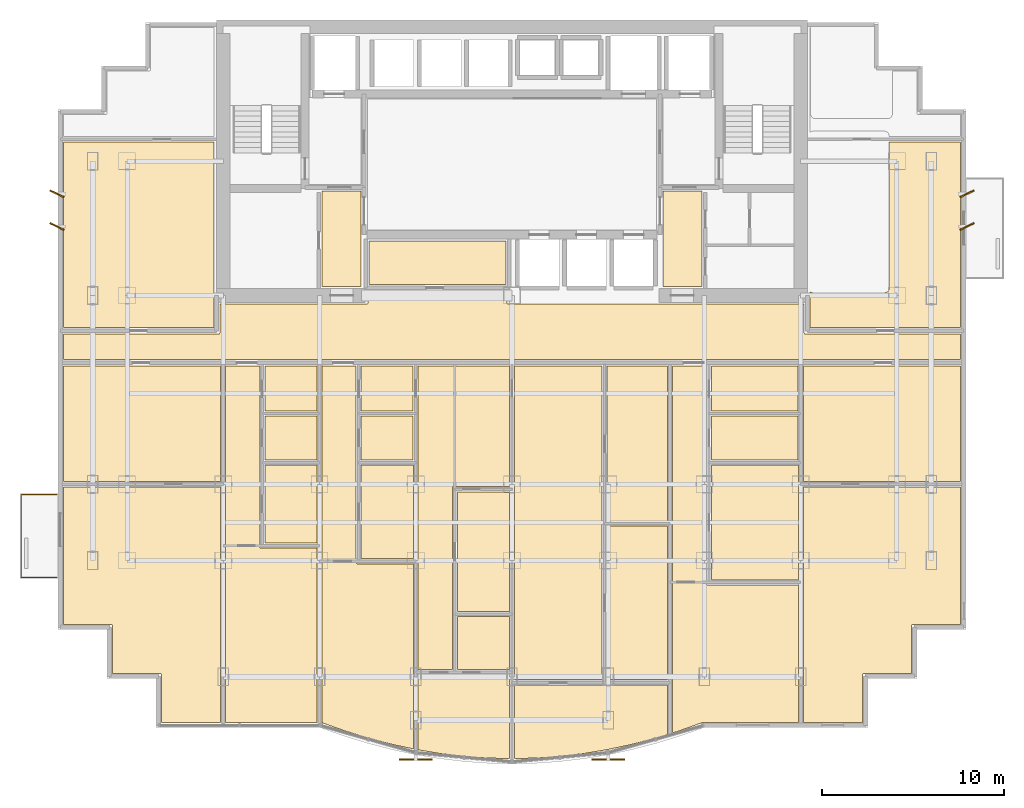
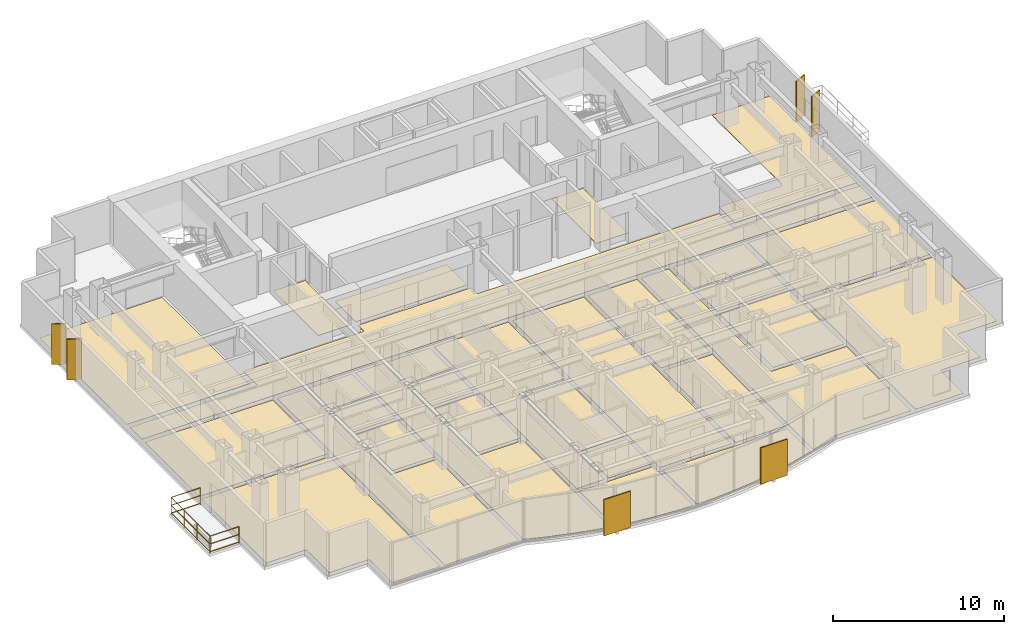
# One storey, part 9 of 10: 30 coverings, 6 shading devices, 1 railing.
"""IFC4 building model written with IfcOpenShell, lengths in metres."""

from ifc_helpers import new_model, si_unit, direction, frame, origin, origin_2d, place, context, subcontext, project, spatial, polyline, rectangle, circle, outline, extrude, source, transform, mapped, material, layer, layer_set, type_object, element, save


model = new_model("IFC4")

# Units and contexts
model_context = context("Model", 3, precision=1e-05, world=origin(), true_north=direction((0.0, 1.0)))
body_context = subcontext(model_context, "Body", "Model", "MODEL_VIEW")
ifc_project = project(units=[si_unit("LENGTHUNIT", "METRE"), si_unit("AREAUNIT", "SQUARE_METRE"), si_unit("VOLUMEUNIT", "CUBIC_METRE"), si_unit("PLANEANGLEUNIT", "RADIAN"), si_unit("MASSUNIT", "GRAM", prefix="KILO")], contexts=[model_context])

# Site, building, storey
site_placement = place(None, origin())
site = spatial("IfcSite", under=ifc_project, at=site_placement, CompositionType="ELEMENT")
building_placement = place(site_placement, origin())
building = spatial("IfcBuilding", under=site, at=building_placement, Name="Qianlan Lanfeng Residences", CompositionType="ELEMENT")
storey_placement = place(building_placement, frame((0.0, 0.0, 114.699951171875)))
storey = spatial("IfcBuildingStorey", under=building, at=storey_placement, Name="L31", CompositionType="ELEMENT", Elevation=114.699951171875)

# Coverings
ifc_material_1 = material(Name="Honed Taitung Granite Stone Flooring", Category="masonry")
ifc_layer_1 = layer(ifc_material_1, 0.030029296875)
ifc_layer_set_1 = layer_set([ifc_layer_1], Name="Honed Taitung Granite Stone Flooring")
covering_type_1 = type_object("IfcCoveringType", Name="FLR-STN-30", PredefinedType="FLOORING", material=ifc_layer_set_1)
covering_1_placement = place(storey_placement, origin())
element("IfcCovering", 1, at=covering_1_placement, inside=storey, type_object=covering_type_1, Name="L31 Residential Corridor Floor Finish", PredefinedType="FLOORING", context=body_context, shape_type="SweptSolid", body=[
    extrude(outline(polyline([(1.7900390625, 21.679931640625), (51.2099609375, 21.679931640625), (51.2099609375, 23.070068359375), (42.6650390625, 23.070068359375), (42.657958984375, 23.070068359375), (42.65087890625, 23.071044921875), (42.64501953125, 23.072998046875), (42.637939453125, 23.074951171875), (42.632080078125, 23.077880859375), (42.6259765625, 23.08203125), (42.62109375, 23.0859375), (42.615966796875, 23.091064453125), (42.611083984375, 23.095947265625), (42.60693359375, 23.10107421875), (42.60302734375, 23.10693359375), (42.60009765625, 23.113037109375), (42.597900390625, 23.1201171875), (42.595947265625, 23.1259765625), (42.594970703125, 23.133056640625), (42.594970703125, 23.139892578125), (42.594970703125, 24.72509765625), (26.300048828125, 24.72509765625), (26.29296875, 24.72509765625), (26.285888671875, 24.72607421875), (26.280029296875, 24.72802734375), (26.27294921875, 24.72998046875), (26.26708984375, 24.73291015625), (26.260986328125, 24.737060546875), (26.256103515625, 24.740966796875), (26.2509765625, 24.74609375), (26.24609375, 24.7509765625), (26.241943359375, 24.756103515625), (26.238037109375, 24.761962890625), (26.235107421875, 24.76806640625), (26.23291015625, 24.77490234375), (26.23095703125, 24.781005859375), (26.22998046875, 24.7880859375), (26.22998046875, 24.794921875), (26.22998046875, 25.429931640625), (18.570068359375, 25.429931640625), (18.570068359375, 24.794921875), (18.570068359375, 24.7880859375), (18.569091796875, 24.781005859375), (18.56689453125, 24.77490234375), (18.56494140625, 24.76806640625), (18.56201171875, 24.761962890625), (18.55810546875, 24.756103515625), (18.553955078125, 24.7509765625), (18.549072265625, 24.74609375), (18.5439453125, 24.740966796875), (18.5390625, 24.737060546875), (18.532958984375, 24.73291015625), (18.527099609375, 24.72998046875), (18.52001953125, 24.72802734375), (18.513916015625, 24.72607421875), (18.507080078125, 24.72509765625), (18.5, 24.72509765625), (10.405029296875, 24.72509765625), (10.405029296875, 23.139892578125), (10.405029296875, 23.133056640625), (10.404052734375, 23.1259765625), (10.402099609375, 23.1201171875), (10.39990234375, 23.113037109375), (10.39697265625, 23.10693359375), (10.39306640625, 23.10107421875), (10.388916015625, 23.095947265625), (10.384033203125, 23.091064453125), (10.37890625, 23.0859375), (10.3740234375, 23.08203125), (10.367919921875, 23.077880859375), (10.362060546875, 23.074951171875), (10.35498046875, 23.072998046875), (10.34912109375, 23.071044921875), (10.342041015625, 23.070068359375), (10.3349609375, 23.070068359375), (1.7900390625, 23.070068359375), (1.7900390625, 21.679931640625)])), origin(), (0.0, 0.0, 1.0), 0.030029296875),
])
covering_2_placement = place(storey_placement, origin())
element("IfcCovering", 2, at=covering_2_placement, inside=storey, type_object=covering_type_1, Name="L31 Lift Lobby Floor Finish", PredefinedType="FLOORING", context=body_context, shape_type="SweptSolid", body=[
    extrude(outline(polyline([(16.030029296875, 25.68505859375), (18.169921875, 25.68505859375), (18.169921875, 30.949951171875), (16.030029296875, 30.949951171875), (16.030029296875, 25.68505859375)])), origin(), (0.0, 0.0, 1.0), 0.030029296875),
])
covering_3_placement = place(storey_placement, origin())
element("IfcCovering", 3, at=covering_3_placement, inside=storey, type_object=covering_type_1, Name="L31 Lift Lobby Floor Finish", PredefinedType="FLOORING", context=body_context, shape_type="SweptSolid", body=[
    extrude(outline(polyline([(34.830078125, 25.68505859375), (36.969970703125, 25.68505859375), (36.969970703125, 30.949951171875), (34.830078125, 30.949951171875), (34.830078125, 25.68505859375)])), origin(), (0.0, 0.0, 1.0), 0.030029296875),
])
ifc_material_2 = material(Name="Slip-Resistant Porcelain Tile Flooring")
ifc_layer_2 = layer(ifc_material_2, 0.02001953125)
ifc_layer_set_2 = layer_set([ifc_layer_2], Name="Slip-Resistant Porcelain Tile Flooring")
covering_type_2 = type_object("IfcCoveringType", Name="FLR-TIL-20", PredefinedType="FLOORING", material=ifc_layer_set_2)
covering_4_placement = place(storey_placement, origin())
element("IfcCovering", 4, at=covering_4_placement, inside=storey, type_object=covering_type_2, Name="L31 Kitchen Floor Finish", PredefinedType="FLOORING", context=body_context, shape_type="SweptSolid", body=[
    extrude(outline(polyline([(12.889892578125, 16.139892578125), (15.760009765625, 16.139892578125), (15.760009765625, 18.56005859375), (12.889892578125, 18.56005859375), (12.889892578125, 16.139892578125)])), origin(), (0.0, 0.0, 1.0), 0.02001953125),
])
covering_5_placement = place(storey_placement, origin())
element("IfcCovering", 5, at=covering_5_placement, inside=storey, type_object=covering_type_2, Name="L31 Bathroom Floor Finish", PredefinedType="FLOORING", context=body_context, shape_type="SweptSolid", body=[
    extrude(outline(polyline([(12.889892578125, 18.840087890625), (15.760009765625, 18.840087890625), (15.760009765625, 21.330078125), (12.889892578125, 21.330078125), (12.889892578125, 18.840087890625)])), origin(), (0.0, 0.0, 1.0), 0.02001953125),
])
covering_6_placement = place(storey_placement, origin())
element("IfcCovering", 6, at=covering_6_placement, inside=storey, type_object=covering_type_2, Name="L31 Kitchen Floor Finish", PredefinedType="FLOORING", context=body_context, shape_type="SweptSolid", body=[
    extrude(outline(polyline([(18.18994140625, 16.139892578125), (21.06005859375, 16.139892578125), (21.06005859375, 18.56005859375), (18.18994140625, 18.56005859375), (18.18994140625, 16.139892578125)])), origin(), (0.0, 0.0, 1.0), 0.02001953125),
])
covering_7_placement = place(storey_placement, origin())
element("IfcCovering", 7, at=covering_7_placement, inside=storey, type_object=covering_type_2, Name="L31 Bathroom Floor Finish", PredefinedType="FLOORING", context=body_context, shape_type="SweptSolid", body=[
    extrude(outline(polyline([(18.18994140625, 18.840087890625), (21.06005859375, 18.840087890625), (21.06005859375, 21.330078125), (18.18994140625, 21.330078125), (18.18994140625, 18.840087890625)])), origin(), (0.0, 0.0, 1.0), 0.02001953125),
])
covering_8_placement = place(storey_placement, origin())
element("IfcCovering", 8, at=covering_8_placement, inside=storey, type_object=covering_type_2, Name="L31 En-Suite Bathroom Floor Finish", PredefinedType="FLOORING", context=body_context, shape_type="SweptSolid", body=[
    extrude(outline(polyline([(23.489990234375, 4.5869140625), (26.3701171875, 4.5869140625), (26.3701171875, 7.507080078125), (23.489990234375, 7.507080078125), (23.489990234375, 4.5869140625)])), origin(), (0.0, 0.0, 1.0), 0.02001953125),
])
covering_9_placement = place(storey_placement, origin())
element("IfcCovering", 9, at=covering_9_placement, inside=storey, type_object=covering_type_2, Name="L31 Kitchen Floor Finish", PredefinedType="FLOORING", context=body_context, shape_type="SweptSolid", body=[
    extrude(outline(polyline([(37.489990234375, 16.139892578125), (42.260009765625, 16.139892578125), (42.260009765625, 18.56005859375), (37.489990234375, 18.56005859375), (37.489990234375, 16.139892578125)])), origin(), (0.0, 0.0, 1.0), 0.02001953125),
])
covering_10_placement = place(storey_placement, origin())
element("IfcCovering", 10, at=covering_10_placement, inside=storey, type_object=covering_type_2, Name="L31 Bathroom Floor Finish", PredefinedType="FLOORING", context=body_context, shape_type="SweptSolid", body=[
    extrude(outline(polyline([(37.489990234375, 18.840087890625), (42.260009765625, 18.840087890625), (42.260009765625, 21.330078125), (37.489990234375, 21.330078125), (37.489990234375, 18.840087890625)])), origin(), (0.0, 0.0, 1.0), 0.02001953125),
])
ifc_material_3 = material(Name="Engineered Smoked Oak Timber Flooring", Category="wood")
ifc_layer_3 = layer(ifc_material_3, 0.02197265625)
ifc_layer_set_3 = layer_set([ifc_layer_3], Name="Engineered Smoked Oak Timber Flooring")
covering_type_3 = type_object("IfcCoveringType", Name="FLR-TIM-22", PredefinedType="FLOORING", material=ifc_layer_set_3)
covering_11_placement = place(storey_placement, origin())
element("IfcCovering", 11, at=covering_11_placement, inside=storey, type_object=covering_type_3, Name="L31 Resident Reading Lounge Floor Finish", PredefinedType="FLOORING", context=body_context, shape_type="SweptSolid", body=[
    extrude(outline(polyline([(18.6298828125, 25.800048828125), (26.169921875, 25.800048828125), (26.169921875, 28.205078125), (18.6298828125, 28.205078125), (18.6298828125, 25.800048828125)])), origin(), (0.0, 0.0, 1.0), 0.02197265625),
])
covering_12_placement = place(storey_placement, origin())
element("IfcCovering", 12, at=covering_12_placement, inside=storey, type_object=covering_type_3, Name="L31 Studio Living Room Floor Finish", PredefinedType="FLOORING", context=body_context, shape_type="SweptSolid", body=[
    extrude(outline(polyline([(15.77001953125, 1.68994140625), (15.77001953125, 11.280029296875), (12.679931640625, 11.280029296875), (12.673095703125, 11.280029296875), (12.666015625, 11.281005859375), (12.659912109375, 11.282958984375), (12.653076171875, 11.284912109375), (12.64697265625, 11.2880859375), (12.64111328125, 11.2919921875), (12.635986328125, 11.2958984375), (12.631103515625, 11.301025390625), (12.6259765625, 11.305908203125), (12.6220703125, 11.31103515625), (12.617919921875, 11.31689453125), (12.614990234375, 11.322998046875), (12.613037109375, 11.330078125), (12.611083984375, 11.3359375), (12.610107421875, 11.343017578125), (12.610107421875, 11.35009765625), (12.610107421875, 21.330078125), (10.72998046875, 21.330078125), (10.72998046875, 1.68994140625), (15.77001953125, 1.68994140625)])), origin(), (0.0, 0.0, 1.0), 0.02197265625),
])
covering_13_placement = place(storey_placement, origin())
element("IfcCovering", 13, at=covering_13_placement, inside=storey, type_object=covering_type_3, Name="L31 Villa Family Sitting Room Floor Finish", PredefinedType="FLOORING", context=body_context, shape_type="SweptSolid", body=[
    extrude(outline(polyline([(12.889892578125, 15.860107421875), (12.889892578125, 11.56005859375), (15.77001953125, 11.56005859375), (15.77001953125, 15.860107421875), (12.889892578125, 15.860107421875)])), origin(), (0.0, 0.0, 1.0), 0.02197265625),
])
covering_14_placement = place(storey_placement, origin())
element("IfcCovering", 14, at=covering_14_placement, inside=storey, type_object=covering_type_3, Name="L31 Living and Dining Room Floor Finish", PredefinedType="FLOORING", context=body_context, shape_type="SweptSolid", body=[
    extrude(outline(polyline([(21.070068359375, 0.22607421875), (21.070068359375, 10.419921875), (17.97998046875, 10.419921875), (17.972900390625, 10.419921875), (17.966064453125, 10.4208984375), (17.9599609375, 10.423095703125), (17.952880859375, 10.425048828125), (17.947021484375, 10.427978515625), (17.94091796875, 10.431884765625), (17.93603515625, 10.43603515625), (17.930908203125, 10.44091796875), (17.926025390625, 10.446044921875), (17.922119140625, 10.450927734375), (17.91796875, 10.45703125), (17.9150390625, 10.462890625), (17.9130859375, 10.469970703125), (17.910888671875, 10.47607421875), (17.909912109375, 10.48291015625), (17.909912109375, 10.489990234375), (17.909912109375, 21.330078125), (16.030029296875, 21.330078125), (16.030029296875, 1.6689453125), (17.3330078125, 1.2060546875), (18.64404296875, 0.803955078125), (19.9541015625, 0.462890625), (21.070068359375, 0.22607421875)])), origin(), (0.0, 0.0, 1.0), 0.02197265625),
])
covering_15_placement = place(storey_placement, origin())
element("IfcCovering", 15, at=covering_15_placement, inside=storey, type_object=covering_type_3, Name="L31 Villa Family Sitting Room Floor Finish", PredefinedType="FLOORING", context=body_context, shape_type="SweptSolid", body=[
    extrude(outline(polyline([(18.18994140625, 15.860107421875), (18.18994140625, 10.699951171875), (21.070068359375, 10.699951171875), (21.070068359375, 15.860107421875), (18.18994140625, 15.860107421875)])), origin(), (0.0, 0.0, 1.0), 0.02197265625),
])
covering_16_placement = place(storey_placement, origin())
element("IfcCovering", 16, at=covering_16_placement, inside=storey, type_object=covering_type_3, Name="L31 Private Study Floor Finish", PredefinedType="FLOORING", context=body_context, shape_type="SweptSolid", body=[
    extrude(outline(polyline([(23.489990234375, 7.787109375), (26.3701171875, 7.787109375), (26.3701171875, 14.383056640625), (23.489990234375, 14.383056640625), (23.489990234375, 7.787109375)])), origin(), (0.0, 0.0, 1.0), 0.02197265625),
])
covering_17_placement = place(storey_placement, origin())
element("IfcCovering", 17, at=covering_17_placement, inside=storey, type_object=covering_type_3, Name="L31 Villa Family Sitting Room Floor Finish", PredefinedType="FLOORING", context=body_context, shape_type="SweptSolid", body=[
    extrude(outline(polyline([(21.330078125, 4.5869140625), (23.2099609375, 4.5869140625), (23.2099609375, 14.593017578125), (23.2099609375, 14.60009765625), (23.2109375, 14.60693359375), (23.212890625, 14.613037109375), (23.215087890625, 14.6201171875), (23.218017578125, 14.6259765625), (23.221923828125, 14.632080078125), (23.22607421875, 14.636962890625), (23.23095703125, 14.64208984375), (23.236083984375, 14.64697265625), (23.240966796875, 14.65087890625), (23.2470703125, 14.655029296875), (23.2529296875, 14.657958984375), (23.260009765625, 14.659912109375), (23.26611328125, 14.662109375), (23.27294921875, 14.6630859375), (23.280029296875, 14.6630859375), (26.3701171875, 14.6630859375), (26.3701171875, 21.330078125), (21.330078125, 21.330078125), (21.330078125, 4.5869140625)])), origin(), (0.0, 0.0, 1.0), 0.02197265625),
])
covering_18_placement = place(storey_placement, origin())
element("IfcCovering", 18, at=covering_18_placement, inside=storey, type_object=covering_type_3, Name="L31 Master Bedroom Floor Finish", PredefinedType="FLOORING", context=body_context, shape_type="SweptSolid", body=[
    extrude(outline(polyline([(21.330078125, 4.306884765625), (21.330078125, 0.174072265625), (22.572998046875, -0.031982421875), (23.882080078125, -0.18603515625), (25.19091796875, -0.279052734375), (26.3701171875, -0.306884765625), (26.3701171875, 4.306884765625), (21.330078125, 4.306884765625)])), origin(), (0.0, 0.0, 1.0), 0.02197265625),
])
covering_19_placement = place(storey_placement, origin())
element("IfcCovering", 19, at=covering_19_placement, inside=storey, type_object=covering_type_3, Name="L31 Bedroom Floor Finish", PredefinedType="FLOORING", context=body_context, shape_type="SweptSolid", body=[
    extrude(outline(polyline([(26.6298828125, 3.735107421875), (26.6298828125, -0.306884765625), (27.80810546875, -0.279052734375), (29.117919921875, -0.18603515625), (30.426025390625, -0.031982421875), (31.736083984375, 0.18505859375), (33.044921875, 0.462890625), (34.35595703125, 0.803955078125), (35.070068359375, 1.02294921875), (35.070068359375, 3.735107421875), (26.6298828125, 3.735107421875)])), origin(), (0.0, 0.0, 1.0), 0.02197265625),
])
covering_20_placement = place(storey_placement, origin())
element("IfcCovering", 20, at=covering_20_placement, inside=storey, type_object=covering_type_3, Name="L31 Private Study Floor Finish", PredefinedType="FLOORING", context=body_context, shape_type="SweptSolid", body=[
    extrude(outline(polyline([(31.739990234375, 4.014892578125), (35.070068359375, 4.014892578125), (35.070068359375, 12.4970703125), (31.739990234375, 12.4970703125), (31.739990234375, 4.014892578125)])), origin(), (0.0, 0.0, 1.0), 0.02197265625),
])
covering_21_placement = place(storey_placement, origin())
element("IfcCovering", 21, at=covering_21_placement, inside=storey, type_object=covering_type_3, Name="L31 Aerobics Studio Floor Finish", PredefinedType="FLOORING", context=body_context, shape_type="SweptSolid", body=[
    extrude(outline(polyline([(31.739990234375, 12.777099609375), (35.070068359375, 12.777099609375), (35.070068359375, 21.330078125), (31.739990234375, 21.330078125), (31.739990234375, 12.777099609375)])), origin(), (0.0, 0.0, 1.0), 0.02197265625),
])
covering_22_placement = place(storey_placement, origin())
element("IfcCovering", 22, at=covering_22_placement, inside=storey, type_object=covering_type_3, Name="L31 Home Office Floor Finish", PredefinedType="FLOORING", context=body_context, shape_type="SweptSolid", body=[
    extrude(outline(polyline([(26.6298828125, 4.014892578125), (31.4599609375, 4.014892578125), (31.4599609375, 21.330078125), (26.6298828125, 21.330078125), (26.6298828125, 4.014892578125)])), origin(), (0.0, 0.0, 1.0), 0.02197265625),
])
covering_23_placement = place(storey_placement, origin())
element("IfcCovering", 23, at=covering_23_placement, inside=storey, type_object=covering_type_3, Name="L31 Studio Living Room Floor Finish", PredefinedType="FLOORING", context=body_context, shape_type="SweptSolid", body=[
    extrude(outline(polyline([(42.27001953125, 1.68994140625), (42.27001953125, 9.258056640625), (37.280029296875, 9.258056640625), (37.27294921875, 9.258056640625), (37.26611328125, 9.259033203125), (37.260009765625, 9.260986328125), (37.2529296875, 9.262939453125), (37.2470703125, 9.26611328125), (37.240966796875, 9.27001953125), (37.236083984375, 9.27392578125), (37.23095703125, 9.279052734375), (37.22607421875, 9.283935546875), (37.221923828125, 9.2890625), (37.218017578125, 9.294921875), (37.215087890625, 9.301025390625), (37.212890625, 9.30810546875), (37.2109375, 9.31396484375), (37.2099609375, 9.321044921875), (37.2099609375, 9.327880859375), (37.2099609375, 21.330078125), (35.330078125, 21.330078125), (35.330078125, 1.10302734375), (35.6669921875, 1.2060546875), (37.01904296875, 1.68603515625), (37.02587890625, 1.68798828125), (37.033935546875, 1.68994140625), (37.0419921875, 1.68994140625), (42.27001953125, 1.68994140625)])), origin(), (0.0, 0.0, 1.0), 0.02197265625),
])
covering_24_placement = place(storey_placement, origin())
element("IfcCovering", 24, at=covering_24_placement, inside=storey, type_object=covering_type_3, Name="L31 Villa Family Sitting Room Floor Finish", PredefinedType="FLOORING", context=body_context, shape_type="SweptSolid", body=[
    extrude(outline(polyline([(37.489990234375, 15.860107421875), (37.489990234375, 9.5380859375), (42.27001953125, 9.5380859375), (42.27001953125, 15.860107421875), (37.489990234375, 15.860107421875)])), origin(), (0.0, 0.0, 1.0), 0.02197265625),
])
covering_25_placement = place(storey_placement, origin())
element("IfcCovering", 25, at=covering_25_placement, inside=storey, type_object=covering_type_3, Name="L31 Sunroom Floor Finish", PredefinedType="FLOORING", context=body_context, shape_type="SweptSolid", body=[
    extrude(outline(polyline([(10.43994140625, 14.64990234375), (1.7900390625, 14.64990234375), (1.7900390625, 7.090087890625), (4.419921875, 7.090087890625), (4.427001953125, 7.090087890625), (4.43408203125, 7.089111328125), (4.43994140625, 7.0869140625), (4.447021484375, 7.0849609375), (4.452880859375, 7.08203125), (4.458984375, 7.077880859375), (4.464111328125, 7.073974609375), (4.468994140625, 7.069091796875), (4.47412109375, 7.06396484375), (4.47802734375, 7.05908203125), (4.48193359375, 7.052978515625), (4.485107421875, 7.047119140625), (4.487060546875, 7.0400390625), (4.489013671875, 7.033935546875), (4.489990234375, 7.027099609375), (4.489990234375, 7.02001953125), (4.489990234375, 4.389892578125), (7.1201171875, 4.389892578125), (7.126953125, 4.389892578125), (7.134033203125, 4.388916015625), (7.139892578125, 4.386962890625), (7.14697265625, 4.385009765625), (7.153076171875, 4.382080078125), (7.158935546875, 4.3779296875), (7.1640625, 4.3740234375), (7.1689453125, 4.368896484375), (7.174072265625, 4.364013671875), (7.177978515625, 4.35888671875), (7.181884765625, 4.35302734375), (7.18505859375, 4.346923828125), (7.18701171875, 4.340087890625), (7.18896484375, 4.333984375), (7.18994140625, 4.326904296875), (7.18994140625, 4.320068359375), (7.18994140625, 1.68994140625), (10.43994140625, 1.68994140625), (10.43994140625, 14.64990234375)])), origin(), (0.0, 0.0, 1.0), 0.02197265625),
])
covering_26_placement = place(storey_placement, origin())
element("IfcCovering", 26, at=covering_26_placement, inside=storey, type_object=covering_type_3, Name="L31 Family Sitting Room Floor Finish", PredefinedType="FLOORING", context=body_context, shape_type="SweptSolid", body=[
    extrude(outline(polyline([(10.43994140625, 21.330078125), (1.7900390625, 21.330078125), (1.7900390625, 14.949951171875), (10.43994140625, 14.949951171875), (10.43994140625, 21.330078125)])), origin(), (0.0, 0.0, 1.0), 0.02197265625),
])
covering_27_placement = place(storey_placement, origin())
element("IfcCovering", 27, at=covering_27_placement, inside=storey, type_object=covering_type_3, Name="L31 Sunroom Floor Finish", PredefinedType="FLOORING", context=body_context, shape_type="SweptSolid", body=[
    extrude(outline(polyline([(51.2099609375, 14.64990234375), (42.56005859375, 14.64990234375), (42.56005859375, 1.68994140625), (45.81005859375, 1.68994140625), (45.81005859375, 4.320068359375), (45.81005859375, 4.326904296875), (45.81103515625, 4.333984375), (45.81298828125, 4.340087890625), (45.81494140625, 4.346923828125), (45.818115234375, 4.35302734375), (45.822021484375, 4.35888671875), (45.825927734375, 4.364013671875), (45.8310546875, 4.368896484375), (45.8359375, 4.3740234375), (45.841064453125, 4.3779296875), (45.846923828125, 4.382080078125), (45.85302734375, 4.385009765625), (45.860107421875, 4.386962890625), (45.865966796875, 4.388916015625), (45.873046875, 4.389892578125), (45.8798828125, 4.389892578125), (48.510009765625, 4.389892578125), (48.510009765625, 7.02001953125), (48.510009765625, 7.027099609375), (48.510986328125, 7.033935546875), (48.512939453125, 7.0400390625), (48.514892578125, 7.047119140625), (48.51806640625, 7.052978515625), (48.52197265625, 7.05908203125), (48.52587890625, 7.06396484375), (48.531005859375, 7.069091796875), (48.535888671875, 7.073974609375), (48.541015625, 7.077880859375), (48.547119140625, 7.08203125), (48.552978515625, 7.0849609375), (48.56005859375, 7.0869140625), (48.56591796875, 7.089111328125), (48.572998046875, 7.090087890625), (48.580078125, 7.090087890625), (51.2099609375, 7.090087890625), (51.2099609375, 14.64990234375)])), origin(), (0.0, 0.0, 1.0), 0.02197265625),
])
covering_28_placement = place(storey_placement, origin())
element("IfcCovering", 28, at=covering_28_placement, inside=storey, type_object=covering_type_3, Name="L31 Private Study Floor Finish", PredefinedType="FLOORING", context=body_context, shape_type="SweptSolid", body=[
    extrude(outline(polyline([(51.2099609375, 21.330078125), (42.56005859375, 21.330078125), (42.56005859375, 14.949951171875), (51.2099609375, 14.949951171875), (51.2099609375, 21.330078125)])), origin(), (0.0, 0.0, 1.0), 0.02197265625),
])
covering_29_placement = place(storey_placement, origin())
element("IfcCovering", 29, at=covering_29_placement, inside=storey, type_object=covering_type_3, Name="L31 Aerobics Studio Floor Finish", PredefinedType="FLOORING", context=body_context, shape_type="SweptSolid", body=[
    extrude(outline(polyline([(10.074951171875, 33.64990234375), (1.7900390625, 33.64990234375), (1.7900390625, 23.429931640625), (10.074951171875, 23.429931640625), (10.074951171875, 33.64990234375)])), origin(), (0.0, 0.0, 1.0), 0.02197265625),
])
covering_30_placement = place(storey_placement, origin())
element("IfcCovering", 30, at=covering_30_placement, inside=storey, type_object=covering_type_3, Name="L31 Aerobics Studio Floor Finish", PredefinedType="FLOORING", context=body_context, shape_type="SweptSolid", body=[
    extrude(outline(polyline([(51.2099609375, 33.64990234375), (47.27001953125, 33.64990234375), (47.27001953125, 25.60009765625), (47.26904296875, 25.574951171875), (47.264892578125, 25.551025390625), (47.259033203125, 25.527099609375), (47.2509765625, 25.50390625), (47.239990234375, 25.48193359375), (47.22802734375, 25.4609375), (47.212890625, 25.44091796875), (47.197021484375, 25.423095703125), (47.178955078125, 25.406982421875), (47.158935546875, 25.39208984375), (47.137939453125, 25.3798828125), (47.115966796875, 25.368896484375), (47.093017578125, 25.361083984375), (47.069091796875, 25.35498046875), (47.044921875, 25.35107421875), (47.02001953125, 25.35009765625), (43.080078125, 25.35009765625), (43.054931640625, 25.35107421875), (43.031005859375, 25.35498046875), (43.007080078125, 25.361083984375), (42.98388671875, 25.368896484375), (42.9619140625, 25.3798828125), (42.94091796875, 25.39208984375), (42.925048828125, 25.404052734375), (42.925048828125, 23.429931640625), (51.2099609375, 23.429931640625), (51.2099609375, 33.64990234375)])), origin(), (0.0, 0.0, 1.0), 0.02197265625),
])

# Railing
ifc_material_4 = material(Name="Anodised Bronze Aluminium and Laminated Glass Guard Balustrade", Category="aluminium")
railing_type = type_object("IfcRailingType", Name="GR-EXT-1220", PredefinedType="BALUSTRADE", material=ifc_material_4)
railing_placement = place(storey_placement, frame((1.429931640625, 9.669921875, 0.0)))
element("IfcRailing", 31, at=railing_placement, inside=storey, type_object=railing_type, Name="L31 Terrace Safety Guard GR-L31-WB-S", PredefinedType="BALUSTRADE", context=body_context, shape_type="SweptSolid", body=[
    extrude(circle(Radius=0.02490234375, at=origin_2d()), frame((0.0, 0.0, 0.0849609375), z_axis=(-1.0, 0.0, 0.0), x_axis=(0.0, -1.0, 0.0)), (0.0, 0.0, 1.0), 1.9599609375),
    extrude(circle(Radius=0.02490234375, at=origin_2d()), frame((0.0, 0.0, 0.63427734375), z_axis=(-1.0, 0.0, 0.0), x_axis=(0.0, -1.0, 0.0)), (0.0, 0.0, 1.0), 1.9599609375),
    extrude(circle(Radius=0.02490234375, at=origin_2d()), frame((0.0, 0.0, 1.19482421875), z_axis=(-1.0, 0.0, 0.0), x_axis=(0.0, -1.0, 0.0)), (0.0, 0.0, 1.0), 1.9599609375),
    extrude(circle(Radius=0.02490234375, at=origin_2d()), frame((-1.9599609375, 0.0, 0.0849609375), z_axis=(0.0, 1.0, 0.0), x_axis=(-1.0, 0.0, 0.0)), (0.0, 0.0, 1.0), 4.56005859375),
    extrude(circle(Radius=0.02490234375, at=origin_2d()), frame((-1.9599609375, 0.0, 0.63427734375), z_axis=(0.0, 1.0, 0.0), x_axis=(-1.0, 0.0, 0.0)), (0.0, 0.0, 1.0), 4.56005859375),
    extrude(circle(Radius=0.02490234375, at=origin_2d()), frame((-1.9599609375, 0.0, 1.19482421875), z_axis=(0.0, 1.0, 0.0), x_axis=(-1.0, 0.0, 0.0)), (0.0, 0.0, 1.0), 4.56005859375),
    extrude(circle(Radius=0.02490234375, at=origin_2d()), frame((-1.9599609375, 4.56005859375, 0.0849609375), z_axis=(1.0, 0.0, 0.0), x_axis=(0.0, 1.0, 0.0)), (0.0, 0.0, 1.0), 1.9599609375),
    extrude(circle(Radius=0.02490234375, at=origin_2d()), frame((-1.9599609375, 4.56005859375, 0.63427734375), z_axis=(1.0, 0.0, 0.0), x_axis=(0.0, 1.0, 0.0)), (0.0, 0.0, 1.0), 1.9599609375),
    extrude(circle(Radius=0.02490234375, at=origin_2d()), frame((-1.9599609375, 4.56005859375, 1.19482421875), z_axis=(1.0, 0.0, 0.0), x_axis=(0.0, 1.0, 0.0)), (0.0, 0.0, 1.0), 1.9599609375),
    extrude(circle(Radius=0.02099609375, at=origin_2d()), origin(), (0.0, 0.0, 1.0), 1.169921875),
    extrude(circle(Radius=0.02099609375, at=origin_2d()), frame((-1.9599609375, 0.0, 0.0)), (0.0, 0.0, 1.0), 1.169921875),
    extrude(circle(Radius=0.02099609375, at=origin_2d()), frame((-1.9599609375, 1.52001953125, 0.0)), (0.0, 0.0, 1.0), 1.169921875),
    extrude(circle(Radius=0.02099609375, at=origin_2d()), frame((-1.9599609375, 3.0400390625, 0.0)), (0.0, 0.0, 1.0), 1.169921875),
    extrude(circle(Radius=0.02099609375, at=origin_2d()), frame((-1.9599609375, 4.56005859375, 0.0)), (0.0, 0.0, 1.0), 1.169921875),
    extrude(circle(Radius=0.02099609375, at=origin_2d()), frame((0.0, 4.56005859375, 0.0)), (0.0, 0.0, 1.0), 1.169921875),
])

# Shading devices
ifc_material_5 = material(Name="Perforated Bronze Aluminium Solar Screen", Category="aluminium")
shading_device_type_1 = type_object("IfcShadingDeviceType", Name="SCR-BRZ-1800", PredefinedType="JALOUSIE", material=ifc_material_5)
shared_shape_1 = source(origin(), body_context, "Body", "SweptSolid", [
    extrude(rectangle(XDim=1.800048828125, YDim=0.06005859375, at=origin_2d()), origin(), (0.0, 0.0, 1.0), 2.60009765625),
])
for number, where, z_axis, x_axis, name in (
    (32, (21.199951171875, -0.360107421875, 0.0), (0.0, 0.0, 1.0), (1.0, 0.0, 0.0), "L31 Perforated Bronze Solar Screen 1"),
    (33, (31.800048828125, -0.360107421875, 0.0), (0.0, 0.0, 1.0), (1.0, 0.0, 0.0), "L31 Perforated Bronze Solar Screen 2"),
):
    element("IfcShadingDevice", number, at=place(storey_placement, frame(where, z_axis=z_axis, x_axis=x_axis)), inside=storey, type_object=shading_device_type_1, Name=name, PredefinedType="JALOUSIE", context=body_context, shape_type="MappedRepresentation", body=[
        mapped(shared_shape_1, transform((0.0, 0.0, 0.0), scale=1.0)),
    ])
ifc_material_6 = material(Name="Anodised Bronze Aluminium Solar Fin", Category="aluminium")
shading_device_type_2 = type_object("IfcShadingDeviceType", Name="FIN-BRZ-850", PredefinedType="SHUTTER", material=ifc_material_6)
shared_shape_2 = source(origin(), body_context, "Body", "SweptSolid", [
    extrude(rectangle(XDim=0.85009765625, YDim=0.080078125, at=origin_2d()), origin(), (0.0, 0.0, 1.0), 2.89990234375),
])
for number, where, z_axis, x_axis, name in (
    (34, (1.429931640625, 29.0, 0.0), (0.0, 0.0, 1.0), (0.898794046299, -0.438371146789, 0.0), "L31 Raked Bronze Solar Fin W1"),
    (35, (1.429931640625, 30.800048828125, 0.0), (0.0, 0.0, 1.0), (0.898794046299, -0.438371146789, 0.0), "L31 Raked Bronze Solar Fin W2"),
    (36, (51.570068359375, 29.0, 0.0), (0.0, 0.0, 1.0), (0.898794046299, 0.438371146789, 0.0), "L31 Raked Bronze Solar Fin E1"),
    (37, (51.570068359375, 30.800048828125, 0.0), (0.0, 0.0, 1.0), (0.898794046299, 0.438371146789, 0.0), "L31 Raked Bronze Solar Fin E2"),
):
    element("IfcShadingDevice", number, at=place(storey_placement, frame(where, z_axis=z_axis, x_axis=x_axis)), inside=storey, type_object=shading_device_type_2, Name=name, PredefinedType="SHUTTER", context=body_context, shape_type="MappedRepresentation", body=[
        mapped(shared_shape_2, transform((0.0, 0.0, 0.0), scale=1.0)),
    ])

save(model, "model.ifc")
